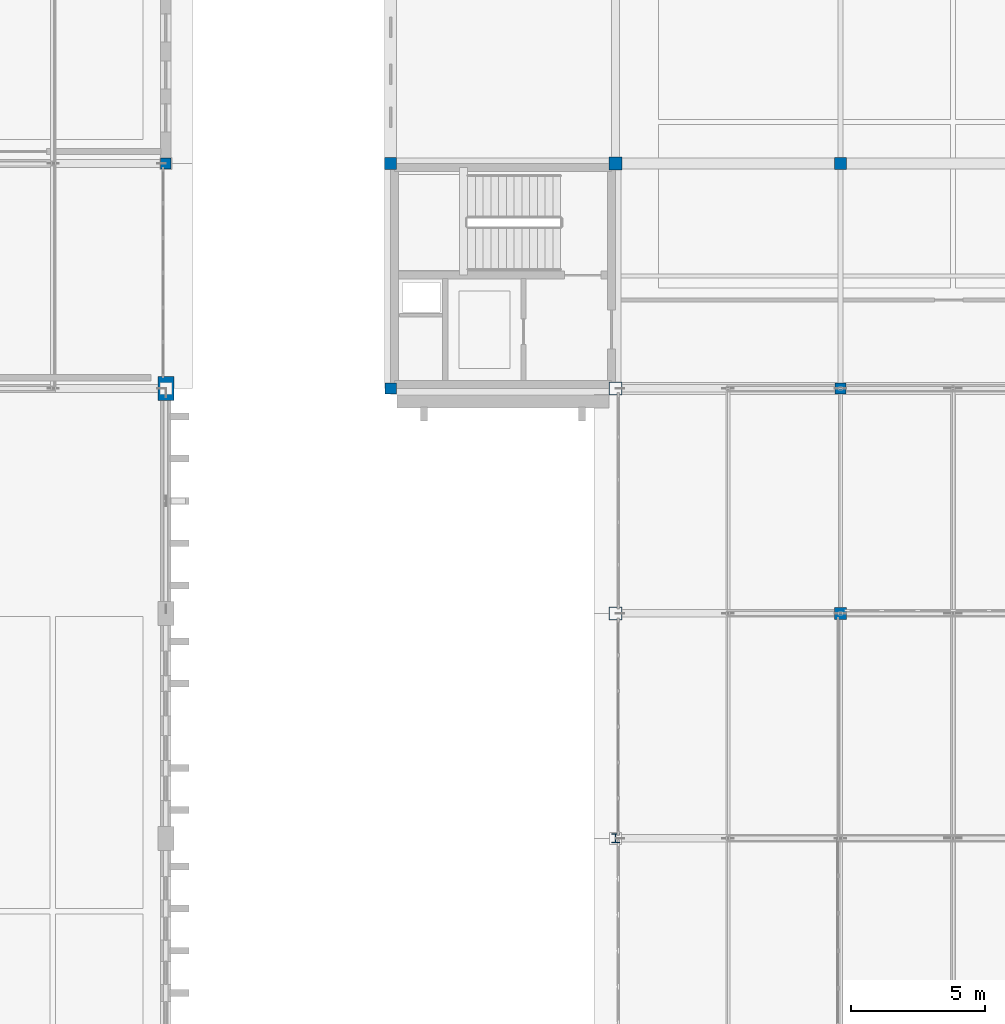
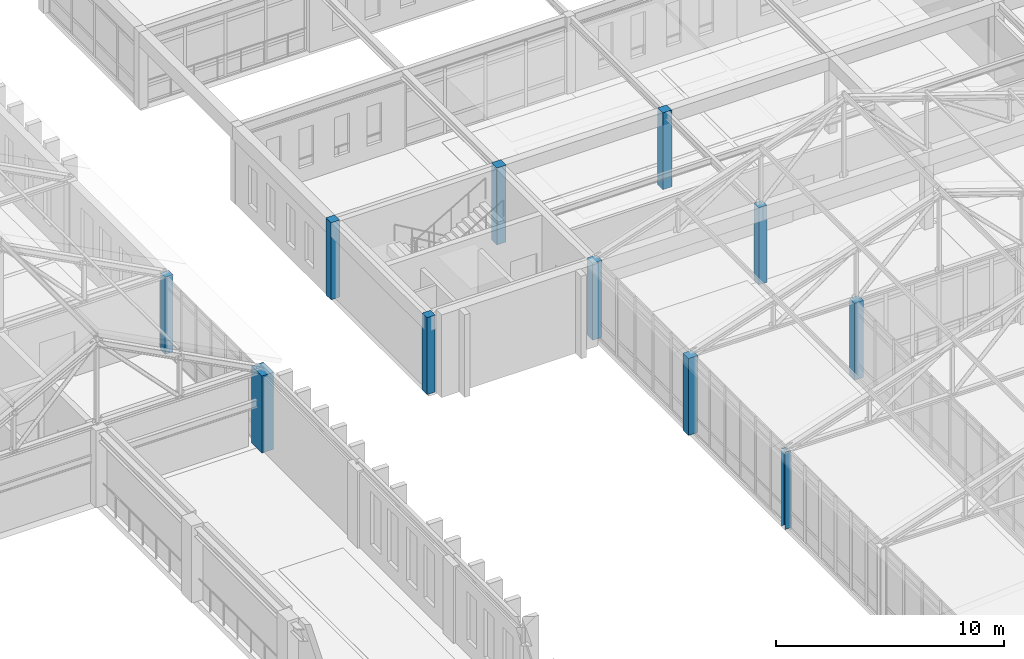
# One storey, part 9 of 192: 11 columns.
"""IFC4 building model written with IfcOpenShell, lengths in metres."""

from ifc_helpers import new_model, si_unit, direction, frame, origin, origin_2d, place, context, subcontext, project, spatial, rectangle, i_section, extrude, material, material_profile, profile_set, type_object, element, save


model = new_model("IFC4")

# Units and contexts
model_context = context("Model", 3, precision=1e-05, world=origin(), true_north=direction((0.0, 1.0)))
body_context = subcontext(model_context, "Body", "Model", "MODEL_VIEW")
ifc_project = project(units=[si_unit("LENGTHUNIT", "METRE"), si_unit("AREAUNIT", "SQUARE_METRE"), si_unit("VOLUMEUNIT", "CUBIC_METRE"), si_unit("PLANEANGLEUNIT", "RADIAN"), si_unit("MASSUNIT", "GRAM", prefix="KILO")], contexts=[model_context])

# Site, building, storey
site_placement = place(None, origin())
site = spatial("IfcSite", under=ifc_project, at=site_placement, CompositionType="ELEMENT")
building_placement = place(site_placement, origin())
building = spatial("IfcBuilding", under=site, at=building_placement, Name="Kveldsbrygga Polytechnic", CompositionType="ELEMENT")
storey_placement = place(building_placement, frame((0.0, 0.0, 5.43994140625)))
storey = spatial("IfcBuildingStorey", under=building, at=storey_placement, Name="L01", CompositionType="ELEMENT", Elevation=5.43994140625)

# Columns
ifc_material_1 = material(Name="Concrete C45/55", Category="concrete")
ifc_material_profile_1 = material_profile(ifc_material_1, rectangle(XDim=0.60009765625, YDim=0.89990234375, at=origin_2d()), Name="RC 600x900")
ifc_profile_set_1 = profile_set([ifc_material_profile_1], Name="Concrete C45/55")
column_type_1 = type_object("IfcColumnType", Name="COL-CRANE-900", PredefinedType="COLUMN", material=ifc_profile_set_1)
column_1_placement = place(storey_placement, frame((33.60009765625, 84.0, 0.0), z_axis=(0.0, 0.0, 1.0), x_axis=(1.0, 0.0, 0.0)))
element("IfcColumn", 1, at=column_1_placement, inside=storey, type_object=column_type_1, Name="Column COL-L01-04-10", PredefinedType="COLUMN", context=body_context, shape_type="SweptSolid", body=[
    extrude(rectangle(XDim=0.60009765625, YDim=0.89990234375, at=origin_2d()), origin(), (0.0, 0.0, 1.0), 4.1201171875),
])
ifc_material_profile_2 = material_profile(ifc_material_1, rectangle(XDim=0.39990234375, YDim=0.39990234375, at=origin_2d()), Name="RC 400x400")
ifc_profile_set_2 = profile_set([ifc_material_profile_2], Name="Concrete C45/55")
column_type_2 = type_object("IfcColumnType", Name="COL-RC-400", PredefinedType="COLUMN", material=ifc_profile_set_2)
column_2_placement = place(storey_placement, frame((33.60009765625, 92.39990234375, 0.0), z_axis=(0.0, 0.0, 1.0), x_axis=(1.0, 0.0, 0.0)))
element("IfcColumn", 2, at=column_2_placement, inside=storey, type_object=column_type_2, Name="Column COL-L01-04-11", PredefinedType="COLUMN", context=body_context, shape_type="SweptSolid", body=[
    extrude(rectangle(XDim=0.39990234375, YDim=0.39990234375, at=origin_2d()), origin(), (0.0, 0.0, 1.0), 4.1201171875),
])
ifc_material_profile_3 = material_profile(ifc_material_1, rectangle(XDim=0.419921875, YDim=0.419921875, at=origin_2d()), Name="RC 420x420")
ifc_profile_set_3 = profile_set([ifc_material_profile_3], Name="Concrete C45/55")
column_type_3 = type_object("IfcColumnType", Name="COL-RC-420", PredefinedType="COLUMN", material=ifc_profile_set_3)
for number, where, z_axis, x_axis, name in (
    (3, (42.0, 84.0, 0.0), (0.0, 0.0, 1.0), (1.0, 0.0, 0.0), "Column COL-L01-05-10"),
    (4, (58.800048828125, 84.0, 0.0), (0.0, 0.0, 1.0), (1.0, 0.0, 0.0), "Column COL-L01-07-10"),
):
    element("IfcColumn", number, at=place(storey_placement, frame(where, z_axis=z_axis, x_axis=x_axis)), inside=storey, type_object=column_type_3, Name=name, PredefinedType="COLUMN", context=body_context, shape_type="SweptSolid", body=[
        extrude(rectangle(XDim=0.419921875, YDim=0.419921875, at=origin_2d()), origin(), (0.0, 0.0, 1.0), 4.1201171875),
    ])
ifc_material_profile_4 = material_profile(ifc_material_1, rectangle(XDim=0.449951171875, YDim=0.449951171875, at=origin_2d()), Name="RC 450x450")
ifc_profile_set_4 = profile_set([ifc_material_profile_4], Name="Concrete C45/55")
column_type_4 = type_object("IfcColumnType", Name="COL-RC-450", PredefinedType="COLUMN", material=ifc_profile_set_4)
for number, where, z_axis, x_axis, name in (
    (5, (42.0, 92.39990234375, 0.0), (0.0, 0.0, 1.0), (1.0, 0.0, 0.0), "Column COL-L01-05-11"),
    (6, (58.800048828125, 75.60009765625, 0.0), (0.0, 0.0, 1.0), (1.0, 0.0, 0.0), "Column COL-L01-07-09"),
    (7, (58.800048828125, 92.39990234375, 0.0), (0.0, 0.0, 1.0), (1.0, 0.0, 0.0), "Column COL-L01-07-11"),
):
    element("IfcColumn", number, at=place(storey_placement, frame(where, z_axis=z_axis, x_axis=x_axis)), inside=storey, type_object=column_type_4, Name=name, PredefinedType="COLUMN", context=body_context, shape_type="SweptSolid", body=[
        extrude(rectangle(XDim=0.449951171875, YDim=0.449951171875, at=origin_2d()), origin(), (0.0, 0.0, 1.0), 4.1201171875),
    ])
ifc_material_profile_5 = material_profile(ifc_material_1, rectangle(XDim=0.47998046875, YDim=0.47998046875, at=origin_2d()), Name="RC 480x480")
ifc_profile_set_5 = profile_set([ifc_material_profile_5], Name="Concrete C45/55")
column_type_5 = type_object("IfcColumnType", Name="COL-RC-480", PredefinedType="COLUMN", material=ifc_profile_set_5)
for number, where, z_axis, x_axis, name in (
    (8, (50.39990234375, 75.60009765625, 0.0), (0.0, 0.0, 1.0), (1.0, 0.0, 0.0), "Column COL-L01-06-09"),
    (9, (50.39990234375, 84.0, 0.0), (0.0, 0.0, 1.0), (1.0, 0.0, 0.0), "Column COL-L01-06-10"),
    (10, (50.39990234375, 92.39990234375, 0.0), (0.0, 0.0, 1.0), (1.0, 0.0, 0.0), "Column COL-L01-06-11"),
):
    element("IfcColumn", number, at=place(storey_placement, frame(where, z_axis=z_axis, x_axis=x_axis)), inside=storey, type_object=column_type_5, Name=name, PredefinedType="COLUMN", context=body_context, shape_type="SweptSolid", body=[
        extrude(rectangle(XDim=0.47998046875, YDim=0.47998046875, at=origin_2d()), origin(), (0.0, 0.0, 1.0), 4.1201171875),
    ])
ifc_material_2 = material(Name="Steel S355", Category="steel")
ifc_material_profile_6 = material_profile(ifc_material_2, i_section(OverallWidth=0.300048828125, OverallDepth=0.340087890625, WebThickness=0.011962890625, FlangeThickness=0.021484375, FilletRadius=0.027099609375, at=origin_2d()), Name="HEB 340")
ifc_profile_set_6 = profile_set([ifc_material_profile_6], Name="Steel S355")
column_type_6 = type_object("IfcColumnType", Name="COL-STL-HEB340", PredefinedType="COLUMN", material=ifc_profile_set_6)
column_3_placement = place(storey_placement, frame((50.39990234375, 67.199951171875, 0.0), z_axis=(0.0, 0.0, 1.0), x_axis=(1.0, 0.0, 0.0)))
element("IfcColumn", 11, at=column_3_placement, inside=storey, type_object=column_type_6, Name="Column COL-L01-06-08", PredefinedType="COLUMN", context=body_context, shape_type="SweptSolid", body=[
    extrude(i_section(OverallWidth=0.300048828125, OverallDepth=0.340087890625, WebThickness=0.011962890625, FlangeThickness=0.021484375, FilletRadius=0.027099609375, at=origin_2d()), origin(), (0.0, 0.0, 1.0), 4.1201171875),
])

save(model, "model.ifc")
